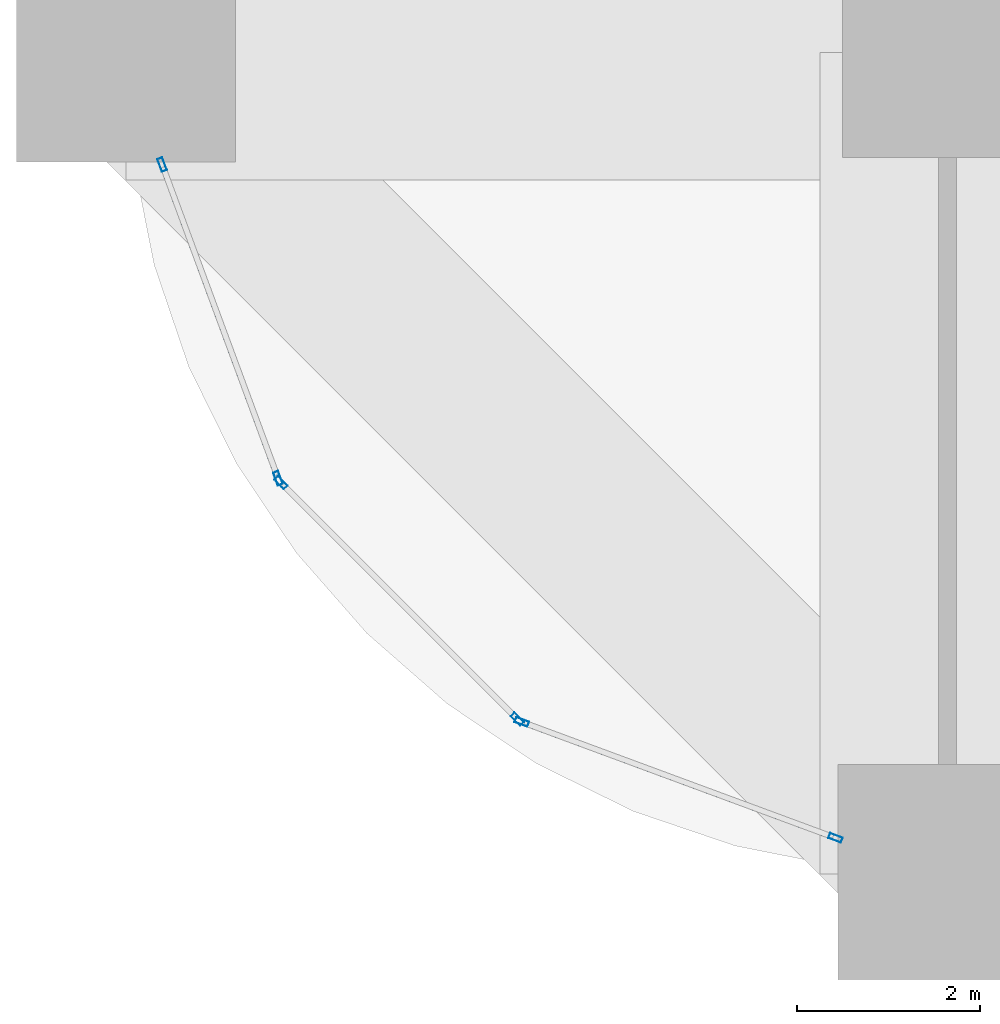
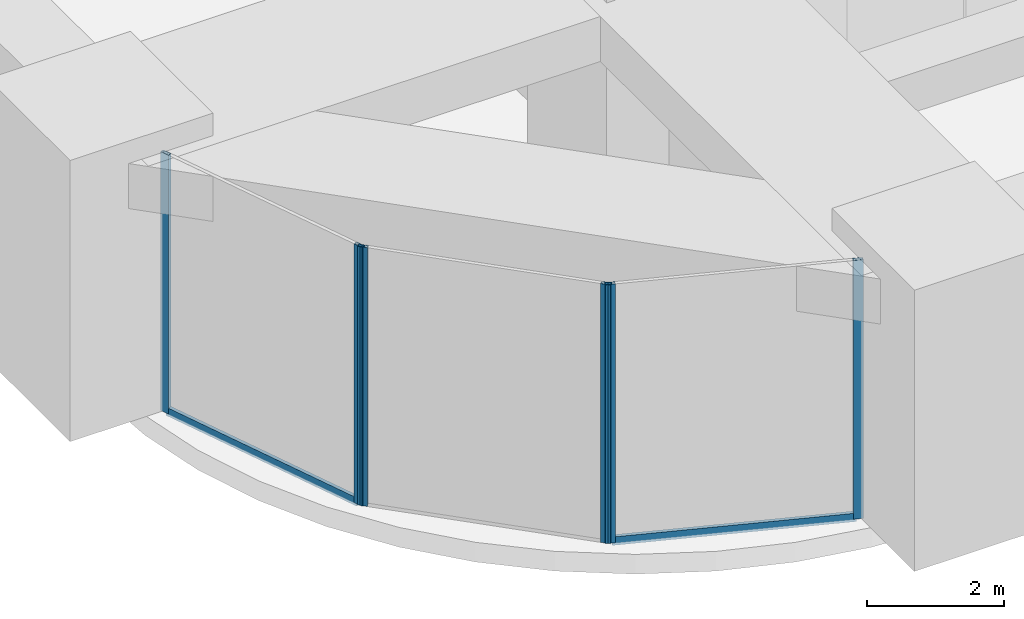
# One storey, part 2 of 35: 8 members, 3 elements without a shape of their own.
"""IFC4 building model written with IfcOpenShell, lengths in metres."""

from ifc_helpers import new_model, si_unit, direction, frame, origin, origin_2d, place, context, subcontext, project, spatial, hollow_rectangle, extrude, material, material_profile, profile_set, type_object, element, aggregate, save


model = new_model("IFC4")

# Units and contexts
model_context = context("Model", 3, precision=1e-05, world=origin(), true_north=direction((0.0, 1.0)))
body_context = subcontext(model_context, "Body", "Model", "MODEL_VIEW")
ifc_project = project(units=[si_unit("LENGTHUNIT", "METRE"), si_unit("AREAUNIT", "SQUARE_METRE"), si_unit("VOLUMEUNIT", "CUBIC_METRE"), si_unit("PLANEANGLEUNIT", "RADIAN"), si_unit("MASSUNIT", "GRAM", prefix="KILO")], contexts=[model_context])

# Site, building, storey
site_placement = place(None, origin())
site = spatial("IfcSite", under=ifc_project, at=site_placement, CompositionType="ELEMENT")
building_placement = place(site_placement, origin())
building = spatial("IfcBuilding", under=site, at=building_placement, Name="Zorevar Civic Tower", CompositionType="ELEMENT")
storey_placement = place(building_placement, frame((0.0, 0.0, 80.0)))
storey = spatial("IfcBuildingStorey", under=building, at=storey_placement, Name="L19", CompositionType="ELEMENT", Elevation=80.0)

# Curtain wall, members
ifc_material_1 = material(Name="Black aluminium louvres", Category="aluminium")
curtain_wall_type = type_object("IfcCurtainWallType", Name="Louvred curtain wall CW6 refuge", PredefinedType="NOTDEFINED", material=ifc_material_1)
curtain_wall_1_placement = place(storey_placement, origin())
curtain_wall_1 = element("IfcCurtainWall", 1, at=curtain_wall_1_placement, inside=storey, type_object=curtain_wall_type, Name="CW6 L19", PredefinedType="NOTDEFINED")
ifc_material_2 = material(Name="Aluminium, black anodised", Category="aluminium")
ifc_material_profile_1 = material_profile(ifc_material_2, hollow_rectangle(XDim=0.06005859375, YDim=0.14990234375, WallThickness=0.00390625, at=origin_2d()), Name="AL 150x60x4")
ifc_profile_set_1 = profile_set([ifc_material_profile_1], Name="Aluminium, black anodised")
member_type_1 = type_object("IfcMemberType", Name="CW6 mullion AL 150x60x4", PredefinedType="MULLION", material=ifc_profile_set_1)
member_1_placement = place(storey_placement, frame((0.3935546875, 7.77197265625, 0.0), z_axis=(0.0, 0.0, 1.0), x_axis=(0.937974588163, 0.346704012033, 0.0)))
member_1 = element("IfcMember", 2, at=member_1_placement, type_object=member_type_1, Name="CW6 mullion 1", PredefinedType="MULLION", context=body_context, shape_type="SweptSolid", body=[
    extrude(hollow_rectangle(XDim=0.06005859375, YDim=0.14990234375, WallThickness=0.00390625, at=origin_2d()), origin(), (0.0, 0.0, 1.0), 4.60009765625),
])
member_2_placement = place(storey_placement, frame((1.663818359375, 4.33544921875, 0.0), z_axis=(0.0, 0.0, 1.0), x_axis=(0.937974588163, 0.346704012033, 0.0)))
member_2 = element("IfcMember", 3, at=member_2_placement, type_object=member_type_1, Name="CW6 mullion 2", PredefinedType="MULLION", context=body_context, shape_type="SweptSolid", body=[
    extrude(hollow_rectangle(XDim=0.06005859375, YDim=0.14990234375, WallThickness=0.00390625, at=origin_2d()), origin(), (0.0, 0.0, 1.0), 4.60009765625),
])

curtain_wall_2_placement = place(storey_placement, origin())
curtain_wall_2 = element("IfcCurtainWall", 4, at=curtain_wall_2_placement, inside=storey, type_object=curtain_wall_type, Name="CW6 L19", PredefinedType="NOTDEFINED")
member_3_placement = place(storey_placement, frame((1.6953125, 4.2861328125, 0.0), z_axis=(0.0, 0.0, 1.0), x_axis=(0.707106781187, 0.707106781187, 0.0)))
member_3 = element("IfcMember", 5, at=member_3_placement, type_object=member_type_1, Name="CW6 mullion 1", PredefinedType="MULLION", context=body_context, shape_type="SweptSolid", body=[
    extrude(hollow_rectangle(XDim=0.06005859375, YDim=0.14990234375, WallThickness=0.00390625, at=origin_2d()), origin(), (0.0, 0.0, 1.0), 4.60009765625),
])
member_4_placement = place(storey_placement, frame((4.2861328125, 1.6953125, 0.0), z_axis=(0.0, 0.0, 1.0), x_axis=(0.707106781187, 0.707106781187, 0.0)))
member_4 = element("IfcMember", 6, at=member_4_placement, type_object=member_type_1, Name="CW6 mullion 2", PredefinedType="MULLION", context=body_context, shape_type="SweptSolid", body=[
    extrude(hollow_rectangle(XDim=0.06005859375, YDim=0.14990234375, WallThickness=0.00390625, at=origin_2d()), origin(), (0.0, 0.0, 1.0), 4.60009765625),
])
aggregate(curtain_wall_2, [member_3, member_4])

curtain_wall_3_placement = place(storey_placement, origin())
curtain_wall_3 = element("IfcCurtainWall", 7, at=curtain_wall_3_placement, inside=storey, type_object=curtain_wall_type, Name="CW6 L19", PredefinedType="NOTDEFINED")
member_5_placement = place(storey_placement, frame((4.33544921875, 1.663818359375, 0.0), z_axis=(0.0, 0.0, 1.0), x_axis=(0.346704012033, 0.937974588163, 0.0)))
member_5 = element("IfcMember", 8, at=member_5_placement, type_object=member_type_1, Name="CW6 mullion 1", PredefinedType="MULLION", context=body_context, shape_type="SweptSolid", body=[
    extrude(hollow_rectangle(XDim=0.06005859375, YDim=0.14990234375, WallThickness=0.00390625, at=origin_2d()), origin(), (0.0, 0.0, 1.0), 4.60009765625),
])
member_6_placement = place(storey_placement, frame((7.77197265625, 0.3935546875, 0.0), z_axis=(0.0, 0.0, 1.0), x_axis=(0.346704012033, 0.937974588163, 0.0)))
member_6 = element("IfcMember", 9, at=member_6_placement, type_object=member_type_1, Name="CW6 mullion 2", PredefinedType="MULLION", context=body_context, shape_type="SweptSolid", body=[
    extrude(hollow_rectangle(XDim=0.06005859375, YDim=0.14990234375, WallThickness=0.00390625, at=origin_2d()), origin(), (0.0, 0.0, 1.0), 4.60009765625),
])

# Member
ifc_material_3 = material(Name="Aluminium, black anodised", Category="aluminium")
ifc_material_profile_2 = material_profile(ifc_material_3, hollow_rectangle(XDim=0.06005859375, YDim=0.14990234375, WallThickness=0.00390625, at=origin_2d()), Name="AL 150x60x4")
ifc_profile_set_2 = profile_set([ifc_material_profile_2], Name="Aluminium, black anodised")
member_type_2 = type_object("IfcMemberType", Name="CW6 transom AL 150x60x4", PredefinedType="USERDEFINED", material=ifc_profile_set_2)
member_7_placement = place(storey_placement, frame((0.404052734375, 7.74365234375, 0.030029296875), z_axis=(0.346672169799, -0.93798635741, 0.0), x_axis=(0.93798635741, 0.346672169799, 0.0)))
member_7 = element("IfcMember", 10, at=member_7_placement, type_object=member_type_2, Name="CW6 sill transom", ObjectType="TRANSOM", PredefinedType="USERDEFINED", context=body_context, shape_type="SweptSolid", body=[
    extrude(hollow_rectangle(XDim=0.06005859375, YDim=0.14990234375, WallThickness=0.00390625, at=origin_2d()), origin(), (0.0, 0.0, 1.0), 3.603515625),
])

aggregate(curtain_wall_1, [member_1, member_2, member_7])

member_8_placement = place(storey_placement, frame((4.363525390625, 1.6533203125, 0.030029296875), z_axis=(0.93798635741, -0.346672169799, 0.0), x_axis=(0.346672169799, 0.93798635741, 0.0)))
member_8 = element("IfcMember", 11, at=member_8_placement, type_object=member_type_2, Name="CW6 sill transom", ObjectType="TRANSOM", PredefinedType="USERDEFINED", context=body_context, shape_type="SweptSolid", body=[
    extrude(hollow_rectangle(XDim=0.06005859375, YDim=0.14990234375, WallThickness=0.00390625, at=origin_2d()), origin(), (0.0, 0.0, 1.0), 3.603515625),
])

aggregate(curtain_wall_3, [member_5, member_6, member_8])

save(model, "model.ifc")
